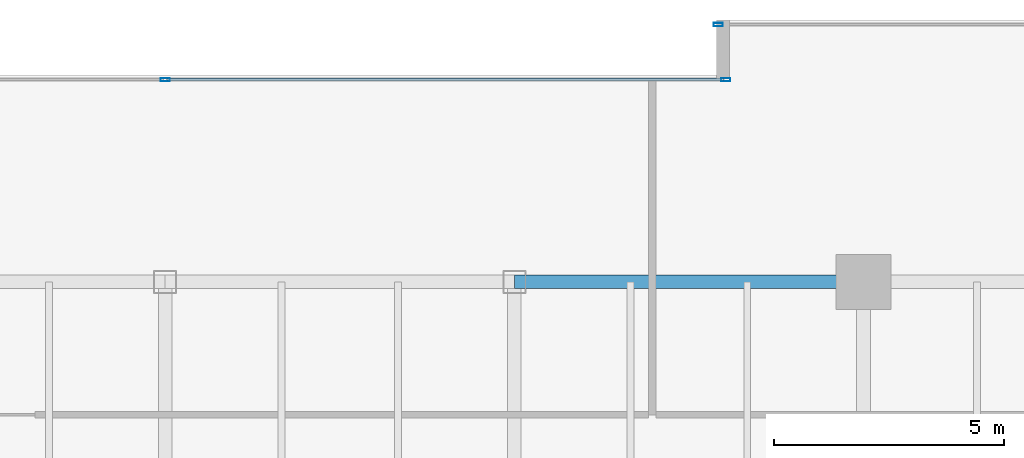
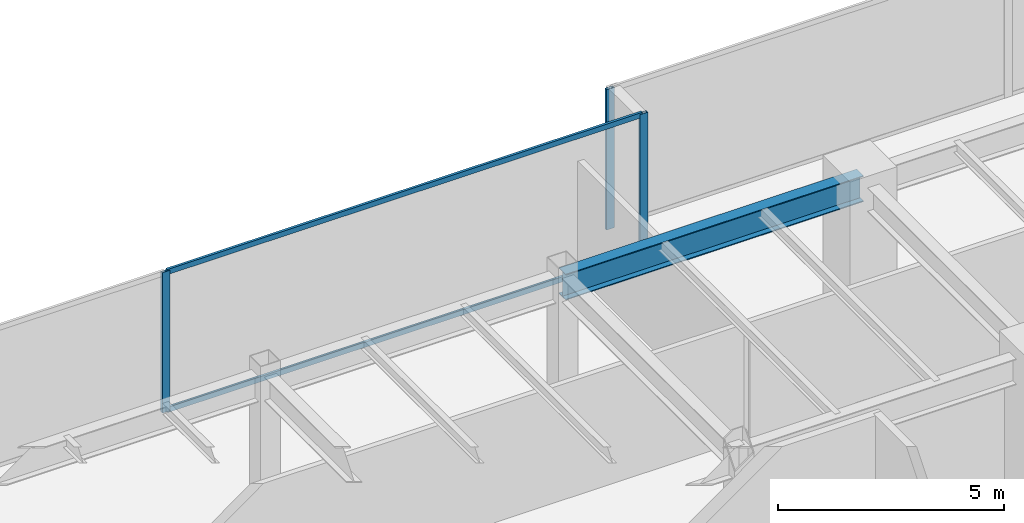
# One storey, part 18 of 30: 5 members, 1 beam, 2 elements without a shape of their own.
"""IFC4 building model written with IfcOpenShell, lengths in metres."""

import ifcopenshell
import ifcopenshell.guid

model = None  # the IFC model being written
_history = None  # IfcOwnerHistory: only IFC2X3 demands one
_inside = {}  # id of a spatial element -> (the spatial element, [elements in it])
_under = {}  # id of a project, library or spatial element -> (it, [spatial elements below it])
_declared = {}  # id of a project -> (the project, [libraries it declares])
_typed = {}  # id of a type object -> (the type object, [elements of that type])
_made_of = {}  # id of a material, layer set ... -> (it, [elements and type objects made of it])


def new_model(schema):
    """Start an empty IFC model of exactly this schema.

    Asked for "IFC4X3", IfcOpenShell would pick the latest addendum, in which some entities
    have other attributes; the version numbers below select the first issue.
    IFC2X3 requires an IfcOwnerHistory on every rooted entity: one is made here for all.
    """
    global model, _history
    if schema == "IFC4X3":
        model = ifcopenshell.file(schema_version=(4, 3, 0, 0))
    else:
        model = ifcopenshell.file(schema=schema)
    _inside.clear()
    _under.clear()
    _declared.clear()
    _typed.clear()
    _made_of.clear()
    _history = None
    if model.schema == "IFC2X3":
        org = make("IfcOrganization", Name="unknown")
        user = make(
            "IfcPersonAndOrganization",
            ThePerson=make("IfcPerson", FamilyName="unknown"),
            TheOrganization=org,
        )
        app = make(
            "IfcApplication",
            ApplicationDeveloper=org,
            Version="unknown",
            ApplicationFullName="unknown",
            ApplicationIdentifier="unknown",
        )
        _history = make(
            "IfcOwnerHistory",
            OwningUser=user,
            OwningApplication=app,
            ChangeAction="ADDED",
            CreationDate=0,
        )
    return model


def make(cls, **values):
    """One entity of the class cls with the attributes given. An attribute that is None is left unset."""
    return model.create_entity(
        cls, **{name: value for name, value in values.items() if value is not None}
    )


def rooted(cls, **values):
    """An entity with a GlobalId (a new one), such as an element, a storey or a relation."""
    return make(cls, GlobalId=ifcopenshell.guid.new(), OwnerHistory=_history, **values)


def si_unit(unit_type, name, prefix=None):
    """IfcSIUnit, for example si_unit("LENGTHUNIT", "METRE", prefix="MILLI")."""
    return make("IfcSIUnit", UnitType=unit_type, Prefix=prefix, Name=name)


def assignment(units):
    """IfcUnitAssignment: the units of a project."""
    return None if units is None else make("IfcUnitAssignment", Units=units)


def point(xyz):
    """IfcCartesianPoint."""
    return None if xyz is None else make("IfcCartesianPoint", Coordinates=xyz)


def direction(xyz):
    """IfcDirection."""
    return None if xyz is None else make("IfcDirection", DirectionRatios=xyz)


def frame(location, z_axis=None, x_axis=None):
    """IfcAxis2Placement3D, a coordinate frame: its origin and axes. An axis left out is left unset."""
    return make(
        "IfcAxis2Placement3D",
        Location=point(location),
        Axis=direction(z_axis),
        RefDirection=direction(x_axis),
    )


def frame_2d(location, x_axis=None):
    """IfcAxis2Placement2D, a coordinate frame in the plane: its origin and x axis."""
    return make(
        "IfcAxis2Placement2D", Location=point(location), RefDirection=direction(x_axis)
    )


def origin():
    """The frame at (0, 0, 0) with its axes left unset."""
    return frame((0.0, 0.0, 0.0))


def origin_2d():
    """The frame at (0, 0) in the plane with its x axis left unset."""
    return frame_2d((0.0, 0.0))


def place(relative_to, where):
    """IfcLocalPlacement: puts the frame where relative to a parent placement (None: the world)."""
    return make(
        "IfcLocalPlacement", PlacementRelTo=relative_to, RelativePlacement=where
    )


def context(
    kind, dimensions, precision=None, world=None, true_north=None, identifier=None
):
    """IfcGeometricRepresentationContext, for example the 3D "Model" context."""
    return make(
        "IfcGeometricRepresentationContext",
        ContextIdentifier=identifier,
        ContextType=kind,
        CoordinateSpaceDimension=dimensions,
        Precision=precision,
        WorldCoordinateSystem=world,
        TrueNorth=true_north,
    )


def subcontext(parent, identifier, kind, view, scale=None):
    """IfcGeometricRepresentationSubContext, for example "Body" below "Model"."""
    return make(
        "IfcGeometricRepresentationSubContext",
        ContextIdentifier=identifier,
        ContextType=kind,
        ParentContext=parent,
        TargetScale=scale,
        TargetView=view,
    )


def project(units=None, contexts=None):
    """IfcProject with its units and contexts."""
    return rooted(
        "IfcProject",
        Name="project",
        RepresentationContexts=contexts,
        UnitsInContext=assignment(units),
    )


def spatial(cls, under=None, at=None, **own):
    """A site, building, storey or space (cls), placed at a placement, below another one or the project."""
    s = rooted(cls, ObjectPlacement=at, **own)
    if under is not None:
        _under.setdefault(under.id(), (under, []))[1].append(s)
    return s


def profile(cls, at=None, kind="AREA", **sizes):
    """A parametric profile (cls). Its sizes go by their IFC names, for example OverallWidth=200.0."""
    return make(cls, ProfileType=kind, Position=at, **sizes)


def hollow_rectangle(**sizes):
    """IfcRectangleHollowProfileDef."""
    return profile("IfcRectangleHollowProfileDef", **sizes)


def i_section(**sizes):
    """IfcIShapeProfileDef."""
    return profile("IfcIShapeProfileDef", **sizes)


def extrude(swept, where, along, depth):
    """IfcExtrudedAreaSolid: the profile swept, set in the frame where, extruded along a direction by depth."""
    return make(
        "IfcExtrudedAreaSolid",
        SweptArea=swept,
        Position=where,
        ExtrudedDirection=direction(along),
        Depth=depth,
    )


def shape(context_of_items, identifier, shape_type, items):
    """IfcShapeRepresentation: the items that make up one representation, for example the "Body"."""
    return make(
        "IfcShapeRepresentation",
        ContextOfItems=context_of_items,
        RepresentationIdentifier=identifier,
        RepresentationType=shape_type,
        Items=items,
    )


def source(mapping_origin, context_of_items, identifier, shape_type, items):
    """IfcRepresentationMap: a shape defined once, which mapped items show again and again."""
    return make(
        "IfcRepresentationMap",
        MappingOrigin=mapping_origin,
        MappedRepresentation=shape(context_of_items, identifier, shape_type, items),
    )


def transform(
    local_origin,
    x_axis=None,
    y_axis=None,
    z_axis=None,
    scale=None,
    scale2=None,
    scale3=None,
    uniform=True,
):
    """IfcCartesianTransformationOperator3D, or its non-uniform kind. x_axis, y_axis, z_axis: its Axis1, 2, 3."""
    if uniform:
        return make(
            "IfcCartesianTransformationOperator3D",
            Axis1=direction(x_axis),
            Axis2=direction(y_axis),
            LocalOrigin=point(local_origin),
            Scale=scale,
            Axis3=direction(z_axis),
        )
    return make(
        "IfcCartesianTransformationOperator3DnonUniform",
        Axis1=direction(x_axis),
        Axis2=direction(y_axis),
        LocalOrigin=point(local_origin),
        Scale=scale,
        Axis3=direction(z_axis),
        Scale2=scale2,
        Scale3=scale3,
    )


def mapped(mapping_source, mapping_target):
    """IfcMappedItem: shows the shape of a source again, moved by a transform."""
    return make(
        "IfcMappedItem", MappingSource=mapping_source, MappingTarget=mapping_target
    )


def material(Name=None, Category=None):
    """IfcMaterial."""
    return make("IfcMaterial", Name=Name, Category=Category)


def layer(
    of_material, thickness, ventilated=None, Name=None, Category=None, Priority=None
):
    """IfcMaterialLayer: one layer of a wall or slab, of a material (None: an air gap)."""
    return make(
        "IfcMaterialLayer",
        Material=of_material,
        LayerThickness=thickness,
        IsVentilated=ventilated,
        Name=Name,
        Category=Category,
        Priority=Priority,
    )


def layer_set(layers, Name=None):
    """IfcMaterialLayerSet."""
    return make("IfcMaterialLayerSet", MaterialLayers=layers, LayerSetName=Name)


def material_profile(
    of_material, cross_section, Name=None, Category=None, Priority=None
):
    """IfcMaterialProfile: a cross section and its material."""
    return make(
        "IfcMaterialProfile",
        Name=Name,
        Material=of_material,
        Profile=cross_section,
        Priority=Priority,
        Category=Category,
    )


def profile_set(profiles, Name=None, composite=None):
    """IfcMaterialProfileSet."""
    return make(
        "IfcMaterialProfileSet",
        Name=Name,
        MaterialProfiles=profiles,
        CompositeProfile=composite,
    )


def made_of(thing, what):
    """Note that an element or type object is made of a material, layer set ...; save() writes the relation."""
    if what is not None:
        _made_of.setdefault(what.id(), (what, []))[1].append(thing)
    return thing


def type_object(cls, material=None, **own):
    """A type object (cls), such as IfcWallType, which elements share."""
    return made_of(rooted(cls, **own), material)


def type_shapes(of_type, sources):
    """Give a type object the sources (RepresentationMaps) that its elements show as mapped items."""
    of_type.RepresentationMaps = sources


def element(
    cls,
    number,
    at=None,
    inside=None,
    cuts=None,
    type_object=None,
    material=None,
    context=None,
    identifier="Body",
    shape_type=None,
    held_by="IfcProductDefinitionShape",
    body=None,
    shapes=None,
    **own,
):
    """One element of the class cls, such as IfcWall. Its Tag is "e" and its number.

    at: its placement. inside: the storey or other place that contains it. cuts: it is an
    opening in that element (IfcRelVoidsElement). A single representation is given by context,
    identifier, shape_type and body (its items); several are given by shapes. held_by: the class
    of the entity that holds the representations. save() writes the other relations.
    """
    e = rooted(cls, Tag="e%d" % number, ObjectPlacement=at, **own)
    if body is not None:
        shapes = [shape(context, identifier, shape_type, body)]
    if shapes is not None:
        e.Representation = make(held_by, Representations=shapes)
    if inside is not None:
        _inside.setdefault(inside.id(), (inside, []))[1].append(e)
    if cuts is not None:
        rooted(
            "IfcRelVoidsElement", RelatingBuildingElement=cuts, RelatedOpeningElement=e
        )
    if type_object is not None:
        _typed.setdefault(type_object.id(), (type_object, []))[1].append(e)
    return made_of(e, material)


def aggregate(whole, parts):
    """IfcRelAggregates: a whole, such as a stair, and the parts it consists of."""
    return rooted("IfcRelAggregates", RelatingObject=whole, RelatedObjects=parts)


def save(model, path):
    """Write the relations noted so far, then the file.

    IfcRelAggregates (storeys below a building ...), IfcRelContainedInSpatialStructure (elements
    in a storey), IfcRelDefinesByType, IfcRelAssociatesMaterial and IfcRelDeclares: one each for
    every whole, place, type object, material and project.
    """
    for whole, parts in _under.values():
        aggregate(whole, parts)
    for where, things in _inside.values():
        rooted(
            "IfcRelContainedInSpatialStructure",
            RelatedElements=things,
            RelatingStructure=where,
        )
    for kind, things in _typed.values():
        rooted("IfcRelDefinesByType", RelatedObjects=things, RelatingType=kind)
    for what, things in _made_of.values():
        rooted("IfcRelAssociatesMaterial", RelatedObjects=things, RelatingMaterial=what)
    for by, libraries in _declared.values():
        rooted("IfcRelDeclares", RelatingContext=by, RelatedDefinitions=libraries)
    model.write(path)


model = new_model("IFC4")

# Units and contexts
model_context = context("Model", 3, precision=1e-05, world=origin(), true_north=direction((0.0, 1.0)))
body_context = subcontext(model_context, "Body", "Model", "MODEL_VIEW")
ifc_project = project(units=[si_unit("LENGTHUNIT", "METRE"), si_unit("AREAUNIT", "SQUARE_METRE"), si_unit("VOLUMEUNIT", "CUBIC_METRE"), si_unit("PLANEANGLEUNIT", "RADIAN"), si_unit("MASSUNIT", "GRAM", prefix="KILO")], contexts=[model_context])

# Site, building, storey
site_placement = place(None, origin())
site = spatial("IfcSite", under=ifc_project, at=site_placement, CompositionType="ELEMENT")
building_placement = place(site_placement, origin())
building = spatial("IfcBuilding", under=site, at=building_placement, Name="Haelvirn Gate Laboratories", CompositionType="ELEMENT")
storey_placement = place(building_placement, frame((0.0, 0.0, 129.699951171875)))
storey = spatial("IfcBuildingStorey", under=building, at=storey_placement, Name="L31", CompositionType="ELEMENT", Elevation=129.699951171875)

# Beam
ifc_material_1 = material(Name="Steel SM355", Category="steel")
ifc_material_profile_1 = material_profile(ifc_material_1, i_section(OverallWidth=0.300048828125, OverallDepth=0.699951171875, WebThickness=0.012939453125, FlangeThickness=0.02392578125, at=origin_2d()), Name="H-700x300x13x24")
ifc_profile_set_1 = profile_set([ifc_material_profile_1], Name="Steel SM355")
beam_type = type_object("IfcBeamType", Name="BM-G-700", PredefinedType="BEAM", material=ifc_profile_set_1)
shared_shape_1 = source(origin(), body_context, "Body", "SweptSolid", [
    extrude(i_section(OverallWidth=0.300048828125, OverallDepth=0.699951171875, WebThickness=0.012939453125, FlangeThickness=0.02392578125, at=origin_2d()), origin(), (0.0, 0.0, 1.0), 7.60009765625),
])
type_shapes(beam_type, [shared_shape_1])
beam_placement = place(storey_placement, frame((45.0, 41.60009765625, 3.43994140625), z_axis=(1.0, 0.0, 0.0), x_axis=(0.0, 1.0, 0.0)))
element("IfcBeam", 1, at=beam_placement, inside=storey, type_object=beam_type, Name="L31 Primary Girder Y41.6 (45.0-52.6)", PredefinedType="BEAM", context=body_context, shape_type="MappedRepresentation", body=[
    mapped(shared_shape_1, transform((0.0, 0.0, 0.0), scale=1.0)),
])

# Curtain wall, members
ifc_material_2 = material(Name="Anodised bronze unitised aluminium & triple low-E glass", Category="aluminium")
ifc_layer = layer(ifc_material_2, 0.179931640625, Name="CW-SYS-3")
ifc_layer_set = layer_set([ifc_layer], Name="Anodised bronze unitised aluminium & triple low-E glass")
curtain_wall_type = type_object("IfcCurtainWallType", Name="CW-SYS-3", PredefinedType="NOTDEFINED", material=ifc_layer_set)
curtain_wall_1_placement = place(storey_placement, origin())
curtain_wall_1 = element("IfcCurtainWall", 2, at=curtain_wall_1_placement, inside=storey, type_object=curtain_wall_type, Name="L31 Unitised Curtain Wall CW-L31-P0-E12-1", PredefinedType="NOTDEFINED")
ifc_material_3 = material(Name="Extruded aluminium 6063-T6 (anodised bronze)", Category="aluminium")
ifc_material_profile_2 = material_profile(ifc_material_3, hollow_rectangle(XDim=0.06494140625, YDim=0.139892578125, WallThickness=0.00390625, at=origin_2d()), Name="CWT-140x65x4")
ifc_profile_set_2 = profile_set([ifc_material_profile_2], Name="Extruded aluminium 6063-T6 (anodised bronze)")
member_type_1 = type_object("IfcMemberType", Name="CWT-T140", PredefinedType="USERDEFINED", material=ifc_profile_set_2)
shared_shape_2 = source(origin(), body_context, "Body", "SweptSolid", [
    extrude(hollow_rectangle(XDim=0.06494140625, YDim=0.139892578125, WallThickness=0.00390625, at=origin_2d()), origin(), (0.0, 0.0, 1.0), 12.12744140625),
])
type_shapes(member_type_1, [shared_shape_2])
member_1_placement = place(storey_placement, frame((37.4375, 46.0, 0.032470703125), z_axis=(1.0, 0.0, 0.0), x_axis=(0.0, 1.0, 0.0)))
member_1 = element("IfcMember", 3, at=member_1_placement, type_object=member_type_1, Name="CW3 transom 2.1", ObjectType="TRANSOM", PredefinedType="USERDEFINED", context=body_context, shape_type="MappedRepresentation", body=[
    mapped(shared_shape_2, transform((0.0, 0.0, 0.0), scale=1.0)),
])
member_2_placement = place(storey_placement, frame((37.4375, 46.0, 3.757568359375), z_axis=(1.0, 0.0, 0.0), x_axis=(0.0, 1.0, 0.0)))
member_2 = element("IfcMember", 4, at=member_2_placement, type_object=member_type_1, Name="CW3 transom 2.2", ObjectType="TRANSOM", PredefinedType="USERDEFINED", context=body_context, shape_type="MappedRepresentation", body=[
    mapped(shared_shape_2, transform((0.0, 0.0, 0.0), scale=1.0)),
])

# Curtain wall, member
curtain_wall_2_placement = place(storey_placement, origin())
curtain_wall_2 = element("IfcCurtainWall", 5, at=curtain_wall_2_placement, inside=storey, type_object=curtain_wall_type, Name="L31 Unitised Curtain Wall CW-L31-P0-E10-1", PredefinedType="NOTDEFINED")
ifc_material_profile_3 = material_profile(ifc_material_3, hollow_rectangle(XDim=0.074951171875, YDim=0.199951171875, WallThickness=0.0048828125, at=origin_2d()), Name="CWM-200x75x5")
ifc_profile_set_3 = profile_set([ifc_material_profile_3], Name="Extruded aluminium 6063-T6 (anodised bronze)")
member_type_2 = type_object("IfcMemberType", Name="CWM-T200", PredefinedType="MULLION", material=ifc_profile_set_3)
shared_shape_3 = source(origin(), body_context, "Body", "SweptSolid", [
    extrude(hollow_rectangle(XDim=0.074951171875, YDim=0.199951171875, WallThickness=0.0048828125, at=origin_2d()), origin(), (0.0, 0.0, 1.0), 3.7900390625),
])
type_shapes(member_type_2, [shared_shape_3])
member_3_placement = place(storey_placement, frame((49.4375, 47.199951171875, 0.0), z_axis=(0.0, 0.0, 1.0), x_axis=(0.0, 1.0, 0.0)))
member_3 = element("IfcMember", 6, at=member_3_placement, type_object=member_type_2, Name="CW3 mullion 1", PredefinedType="MULLION", context=body_context, shape_type="MappedRepresentation", body=[
    mapped(shared_shape_3, transform((0.0, 0.0, 0.0), scale=1.0)),
])
aggregate(curtain_wall_2, [member_3])

# Member
member_4_placement = place(storey_placement, frame((37.39990234375, 46.0, 0.0), z_axis=(0.0, 0.0, 1.0), x_axis=(0.0, 1.0, 0.0)))
member_4 = element("IfcMember", 7, at=member_4_placement, type_object=member_type_2, Name="CW3 mullion 2", PredefinedType="MULLION", context=body_context, shape_type="MappedRepresentation", body=[
    mapped(shared_shape_3, transform((0.0, 0.0, 0.0), scale=1.0)),
])

member_5_placement = place(storey_placement, frame((49.6025390625, 46.0, 0.0), z_axis=(0.0, 0.0, 1.0), x_axis=(0.0, 1.0, 0.0)))
member_5 = element("IfcMember", 8, at=member_5_placement, type_object=member_type_2, Name="CW3 mullion 3", PredefinedType="MULLION", context=body_context, shape_type="MappedRepresentation", body=[
    mapped(shared_shape_3, transform((0.0, 0.0, 0.0), scale=1.0)),
])

aggregate(curtain_wall_1, [member_4, member_5, member_1, member_2])

save(model, "model.ifc")
